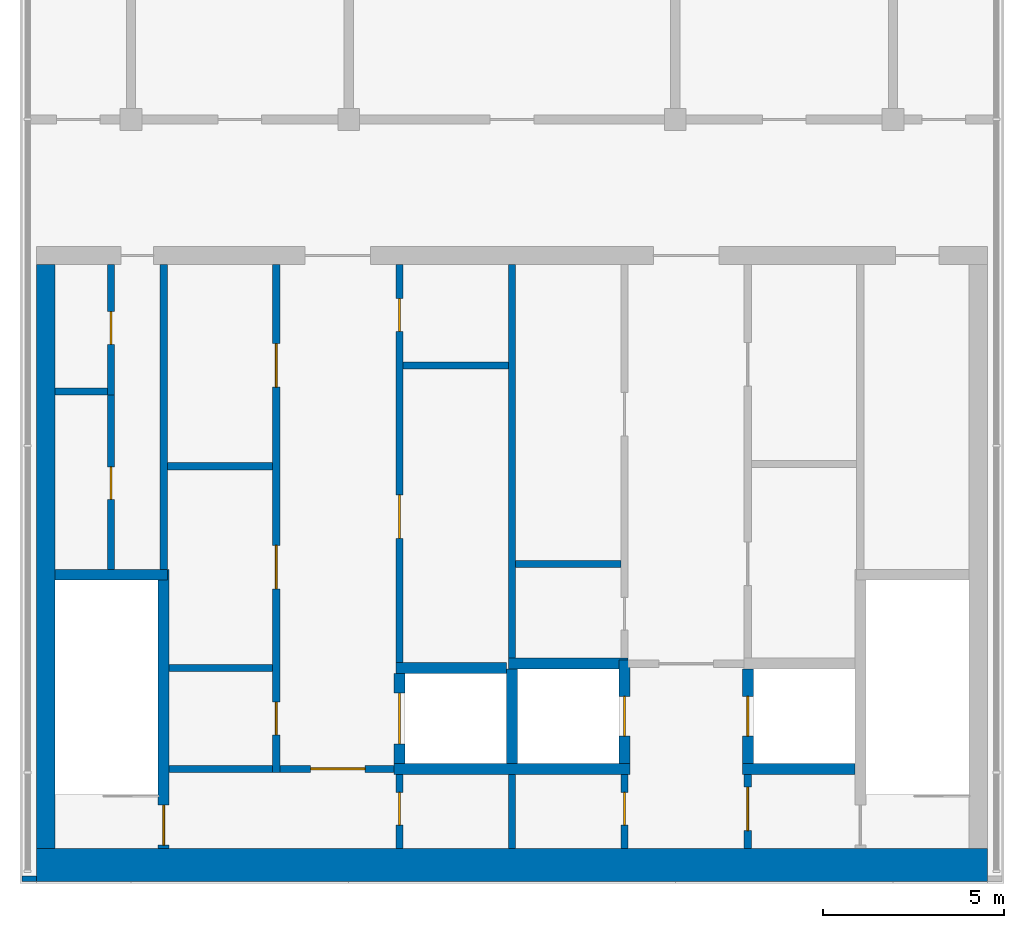
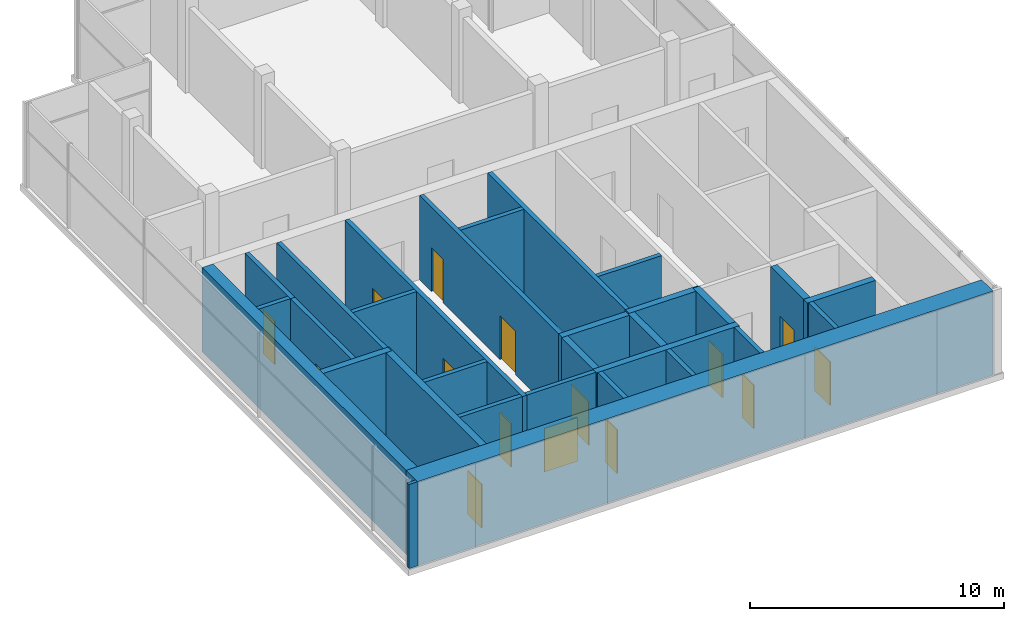
# One storey, part 2 of 4: 30 walls, 15 doors, 15 openings.
"""IFC4 building model written with IfcOpenShell, lengths in metres."""

from ifc_helpers import new_model, si_unit, direction, frame, frame_2d, origin, place, context, subcontext, project, spatial, rectangle, extrude, material, layer, layer_set, type_object, element, fill, save


model = new_model("IFC4")

# Units and contexts
model_context = context("Model", 3, precision=1e-05, world=origin(), true_north=direction((0.0, 1.0)))
body_context = subcontext(model_context, "Body", "Model", "MODEL_VIEW")
ifc_project = project(units=[si_unit("LENGTHUNIT", "METRE"), si_unit("AREAUNIT", "SQUARE_METRE"), si_unit("VOLUMEUNIT", "CUBIC_METRE"), si_unit("PLANEANGLEUNIT", "RADIAN"), si_unit("MASSUNIT", "GRAM", prefix="KILO")], contexts=[model_context])

# Site, building, storey
site_placement = place(None, origin())
site = spatial("IfcSite", under=ifc_project, at=site_placement, CompositionType="ELEMENT")
building_placement = place(site_placement, origin())
building = spatial("IfcBuilding", under=site, at=building_placement, Name="Finial Court Residences", CompositionType="ELEMENT")
storey_placement = place(building_placement, frame((0.0, 0.0, 321.199951171875)))
storey = spatial("IfcBuildingStorey", under=building, at=storey_placement, Name="L81", CompositionType="ELEMENT", Elevation=321.199951171875)

# Walls
ifc_material_1 = material(Name="Concrete C50/60", Category="concrete")
ifc_layer_1 = layer(ifc_material_1, 0.5)
ifc_layer_set_1 = layer_set([ifc_layer_1], Name="Core outer wall 500 Concrete C50/60")
wall_type_1 = type_object("IfcWallType", Name="Core outer wall 500 Concrete C50/60", PredefinedType="SHEAR", material=ifc_layer_set_1)
wall_1_placement = place(storey_placement, frame((-12.85009765625, -24.60009765625, 0.0), z_axis=(0.0, 0.0, 1.0), x_axis=(0.0, 1.0, 0.0)))
element("IfcWall", 1, at=wall_1_placement, inside=storey, type_object=wall_type_1, Name="Core outer wall L81-03", PredefinedType="SHEAR", context=body_context, shape_type="SweptSolid", body=[
    extrude(rectangle(XDim=16.10009765625, YDim=0.5, at=frame_2d((8.050048828125, 0.0))), origin(), (0.0, 0.0, 1.0), 4.050048828125),
])
ifc_layer_2 = layer(ifc_material_1, 0.89990234375)
ifc_layer_set_2 = layer_set([ifc_layer_2], Name="Core south facade wall 900 Concrete C50/60")
wall_type_2 = type_object("IfcWallType", Name="Core south facade wall 900 Concrete C50/60", PredefinedType="SHEAR", material=ifc_layer_set_2)
wall_2_placement = place(storey_placement, frame((-13.10009765625, -25.050048828125, 0.0), z_axis=(0.0, 0.0, 1.0), x_axis=(1.0, 0.0, 0.0)))
element("IfcWall", 2, at=wall_2_placement, inside=storey, type_object=wall_type_2, Name="Core outer wall L81-01", PredefinedType="SHEAR", context=body_context, shape_type="SweptSolid", body=[
    extrude(rectangle(XDim=26.2001953125, YDim=0.89990234375, at=frame_2d((13.10009765625, 0.0))), origin(), (0.0, 0.0, 1.0), 4.050048828125),
])

# Wall, opening, door
ifc_material_2 = material(Name="Fire-rated gypsum board partition")
ifc_layer_3 = layer(ifc_material_2, 0.199951171875)
ifc_layer_set_3 = layer_set([ifc_layer_3], Name="Firefighting lobby wall 200 EI 120")
wall_type_3 = type_object("IfcWallType", Name="Firefighting lobby wall 200 EI 120", PredefinedType="PARTITIONING", material=ifc_layer_set_3)
wall_3_placement = place(storey_placement, frame((3.10009765625, -24.60009765625, 0.0), z_axis=(0.0, 0.0, 1.0), x_axis=(0.0, 1.0, 0.0)))
wall_3 = element("IfcWall", 3, at=wall_3_placement, inside=storey, type_object=wall_type_3, Name="Core partition L81-28", PredefinedType="PARTITIONING", context=body_context, shape_type="SweptSolid", body=[
    extrude(rectangle(XDim=2.050048828125, YDim=0.199951171875, at=frame_2d((1.02490234375, 0.0))), origin(), (0.0, 0.0, 1.0), 4.050048828125),
])
opening_1_placement = place(wall_3_placement, frame((0.64990234375, 0.0, 0.0)))
opening_1 = element("IfcOpeningElement", 4, at=opening_1_placement, cuts=wall_3, Name="Opening L81-C18", PredefinedType="OPENING", context=body_context, shape_type="SweptSolid", body=[
    extrude(rectangle(XDim=0.89990234375, YDim=2.10009765625, at=frame_2d((0.449951171875, 1.050048828125))), frame((0.0, 0.10986328125, 0.0), z_axis=(0.0, -1.0, 0.0), x_axis=(1.0, 0.0, 0.0)), (0.0, 0.0, 1.0), 0.219970703125),
])
ifc_material_3 = material(Name="Steel fire door", Category="steel")
door_type_1 = type_object("IfcDoorType", Name="Riser room door 900 x 2100 EI 90", OperationType="NOTDEFINED", PredefinedType="DOOR", material=ifc_material_3)
door_1_placement = place(opening_1_placement, origin())
door_1 = element("IfcDoor", 5, at=door_1_placement, inside=storey, type_object=door_type_1, Name="Riser room door L81-C18", OperationType="SINGLE_SWING_LEFT", OverallHeight=2.10009765625, OverallWidth=0.89990234375, PredefinedType="DOOR", context=body_context, shape_type="SweptSolid", body=[
    extrude(rectangle(XDim=0.89990234375, YDim=2.10009765625, at=frame_2d((0.449951171875, 1.050048828125))), frame((0.0, 0.02490234375, 0.0), z_axis=(0.0, -1.0, 0.0), x_axis=(1.0, 0.0, 0.0)), (0.0, 0.0, 1.0), 0.050048828125),
])
fill(opening_1, door_1)

wall_4_placement = place(storey_placement, frame((6.5, -22.550048828125, 0.0), z_axis=(0.0, 0.0, 1.0), x_axis=(0.0, -1.0, 0.0)))
wall_4 = element("IfcWall", 6, at=wall_4_placement, inside=storey, type_object=wall_type_3, Name="Core partition L81-31", PredefinedType="PARTITIONING", context=body_context, shape_type="SweptSolid", body=[
    extrude(rectangle(XDim=2.050048828125, YDim=0.199951171875, at=frame_2d((1.02490234375, 0.0))), origin(), (0.0, 0.0, 1.0), 4.050048828125),
])
opening_2_placement = place(wall_4_placement, frame((0.35009765625, 0.0, 0.0)))
opening_2 = element("IfcOpeningElement", 7, at=opening_2_placement, cuts=wall_4, Name="Opening L81-C01", PredefinedType="OPENING", context=body_context, shape_type="SweptSolid", body=[
    extrude(rectangle(XDim=1.199951171875, YDim=2.10009765625, at=frame_2d((0.60009765625, 1.050048828125))), frame((0.0, 0.10986328125, 0.0), z_axis=(0.0, -1.0, 0.0), x_axis=(1.0, 0.0, 0.0)), (0.0, 0.0, 1.0), 0.219970703125),
])
door_type_2 = type_object("IfcDoorType", Name="Firefighting lobby door 1200 x 2100 EI 90", OperationType="NOTDEFINED", PredefinedType="DOOR", material=ifc_material_3)
door_2_placement = place(opening_2_placement, origin())
door_2 = element("IfcDoor", 8, at=door_2_placement, inside=storey, type_object=door_type_2, Name="Firefighting lobby door L81-C01", OperationType="SINGLE_SWING_RIGHT", OverallHeight=2.10009765625, OverallWidth=1.199951171875, PredefinedType="DOOR", context=body_context, shape_type="SweptSolid", body=[
    extrude(rectangle(XDim=1.199951171875, YDim=2.10009765625, at=frame_2d((0.60009765625, 1.050048828125))), frame((0.0, 0.02490234375, 0.0), z_axis=(0.0, -1.0, 0.0), x_axis=(1.0, 0.0, 0.0)), (0.0, 0.0, 1.0), 0.050048828125),
])
fill(opening_2, door_2)

# Walls
ifc_layer_4 = layer(ifc_material_1, 0.300048828125)
ifc_layer_set_4 = layer_set([ifc_layer_4], Name="Lift shaft and stair wall 300 Concrete C50/60")
wall_type_4 = type_object("IfcWallType", Name="Lift shaft and stair wall 300 Concrete C50/60", PredefinedType="SHEAR", material=ifc_layer_set_4)
wall_5_placement = place(storey_placement, frame((-3.25, -22.39990234375, 0.0), z_axis=(0.0, 0.0, 1.0), x_axis=(1.0, 0.0, 0.0)))
element("IfcWall", 9, at=wall_5_placement, inside=storey, type_object=wall_type_4, Name="Core wall L81-03", PredefinedType="SHEAR", context=body_context, shape_type="SweptSolid", body=[
    extrude(rectangle(XDim=6.5, YDim=0.300048828125, at=frame_2d((3.25, 0.0))), origin(), (0.0, 0.0, 1.0), 4.050048828125),
])
wall_6_placement = place(storey_placement, frame((6.35009765625, -22.39990234375, 0.0), z_axis=(0.0, 0.0, 1.0), x_axis=(1.0, 0.0, 0.0)))
element("IfcWall", 10, at=wall_6_placement, inside=storey, type_object=wall_type_4, Name="Core wall L81-04", PredefinedType="SHEAR", context=body_context, shape_type="SweptSolid", body=[
    extrude(rectangle(XDim=3.099853515625, YDim=0.300048828125, at=frame_2d((1.5498046875, 0.0))), origin(), (0.0, 0.0, 1.0), 4.050048828125),
])
wall_7_placement = place(storey_placement, frame((-3.199951171875, -19.6201171875, 0.0), z_axis=(0.0, 0.0, 1.0), x_axis=(1.0, 0.0, 0.0)))
element("IfcWall", 11, at=wall_7_placement, inside=storey, type_object=wall_type_4, Name="Core wall L81-06", PredefinedType="SHEAR", context=body_context, shape_type="SweptSolid", body=[
    extrude(rectangle(XDim=3.050048828125, YDim=0.300048828125, at=frame_2d((1.52490234375, 0.0))), origin(), (0.0, 0.0, 1.0), 4.050048828125),
])
wall_8_placement = place(storey_placement, frame((-0.10009765625, -19.5, 0.0), z_axis=(0.0, 0.0, 1.0), x_axis=(1.0, 0.0, 0.0)))
element("IfcWall", 12, at=wall_8_placement, inside=storey, type_object=wall_type_4, Name="Core wall L81-07", PredefinedType="SHEAR", context=body_context, shape_type="SweptSolid", body=[
    extrude(rectangle(XDim=3.300048828125, YDim=0.300048828125, at=frame_2d((1.64990234375, 0.0))), origin(), (0.0, 0.0, 1.0), 4.050048828125),
])
wall_9_placement = place(storey_placement, frame((-12.60009765625, -17.050048828125, 0.0), z_axis=(0.0, 0.0, 1.0), x_axis=(1.0, 0.0, 0.0)))
element("IfcWall", 13, at=wall_9_placement, inside=storey, type_object=wall_type_4, Name="Core wall L81-10", PredefinedType="SHEAR", context=body_context, shape_type="SweptSolid", body=[
    extrude(rectangle(XDim=3.10009765625, YDim=0.300048828125, at=frame_2d((1.550048828125, 0.0))), origin(), (0.0, 0.0, 1.0), 4.050048828125),
])

# Wall, opening, door
wall_10_placement = place(storey_placement, frame((-9.60009765625, -24.60009765625, 0.0), z_axis=(0.0, 0.0, 1.0), x_axis=(0.0, 1.0, 0.0)))
wall_10 = element("IfcWall", 14, at=wall_10_placement, inside=storey, type_object=wall_type_4, Name="Core wall L81-19", PredefinedType="SHEAR", context=body_context, shape_type="SweptSolid", body=[
    extrude(rectangle(XDim=7.7001953125, YDim=0.300048828125, at=frame_2d((3.85009765625, 0.0))), origin(), (0.0, 0.0, 1.0), 4.050048828125),
])
opening_3_placement = place(wall_10_placement, frame((0.10009765625, 0.0, 0.0)))
opening_3 = element("IfcOpeningElement", 15, at=opening_3_placement, cuts=wall_10, Name="Opening L81-C21", PredefinedType="OPENING", context=body_context, shape_type="SweptSolid", body=[
    extrude(rectangle(XDim=1.10009765625, YDim=2.10009765625, at=frame_2d((0.550048828125, 1.050048828125))), frame((0.0, 0.159912109375, 0.0), z_axis=(0.0, -1.0, 0.0), x_axis=(1.0, 0.0, 0.0)), (0.0, 0.0, 1.0), 0.320068359375),
])
door_type_3 = type_object("IfcDoorType", Name="Stair door 1100 x 2100 EI 90", OperationType="NOTDEFINED", PredefinedType="DOOR", material=ifc_material_3)
door_3_placement = place(opening_3_placement, origin())
door_3 = element("IfcDoor", 16, at=door_3_placement, inside=storey, type_object=door_type_3, Name="Stair door L81-C21", OperationType="SINGLE_SWING_LEFT", OverallHeight=2.10009765625, OverallWidth=1.10009765625, PredefinedType="DOOR", context=body_context, shape_type="SweptSolid", body=[
    extrude(rectangle(XDim=1.10009765625, YDim=2.10009765625, at=frame_2d((0.550048828125, 1.050048828125))), frame((0.0, 0.02490234375, 0.0), z_axis=(0.0, -1.0, 0.0), x_axis=(1.0, 0.0, 0.0)), (0.0, 0.0, 1.0), 0.050048828125),
])
fill(opening_3, door_3)

wall_11_placement = place(storey_placement, frame((-3.10009765625, -22.25, 0.0), z_axis=(0.0, 0.0, 1.0), x_axis=(0.0, 1.0, 0.0)))
wall_11 = element("IfcWall", 17, at=wall_11_placement, inside=storey, type_object=wall_type_4, Name="Core wall L81-23", PredefinedType="SHEAR", context=body_context, shape_type="SweptSolid", body=[
    extrude(rectangle(XDim=2.47998046875, YDim=0.300048828125, at=frame_2d((1.239990234375, 0.0))), origin(), (0.0, 0.0, 1.0), 4.050048828125),
])
opening_4_placement = place(wall_11_placement, frame((0.5400390625, 0.0, 0.0)))
opening_4 = element("IfcOpeningElement", 18, at=opening_4_placement, cuts=wall_11, Name="Opening L81-LD03", PredefinedType="OPENING", context=body_context, shape_type="SweptSolid", body=[
    extrude(rectangle(XDim=1.39990234375, YDim=2.10009765625, at=frame_2d((0.699951171875, 1.050048828125))), frame((0.0, 0.159912109375, 0.0), z_axis=(0.0, -1.0, 0.0), x_axis=(1.0, 0.0, 0.0)), (0.0, 0.0, 1.0), 0.320068359375),
])
ifc_material_4 = material(Name="Stainless steel lift door", Category="steel")
door_type_4 = type_object("IfcDoorType", Name="Lift landing door 1400 x 2100 EI 90", OperationType="DOUBLE_DOOR_SLIDING", PredefinedType="DOOR", material=ifc_material_4)
door_4_placement = place(opening_4_placement, origin())
door_4 = element("IfcDoor", 19, at=door_4_placement, inside=storey, type_object=door_type_4, Name="Lift landing door SV1 L81", OperationType="DOUBLE_DOOR_SLIDING", OverallHeight=2.10009765625, OverallWidth=1.39990234375, PredefinedType="DOOR", context=body_context, shape_type="SweptSolid", body=[
    extrude(rectangle(XDim=1.39990234375, YDim=2.10009765625, at=frame_2d((0.699951171875, 1.050048828125))), frame((0.0, 0.02490234375, 0.0), z_axis=(0.0, -1.0, 0.0), x_axis=(1.0, 0.0, 0.0)), (0.0, 0.0, 1.0), 0.050048828125),
])
fill(opening_4, door_4)

# Wall
wall_12_placement = place(storey_placement, frame((0.0, -22.25, 0.0), z_axis=(0.0, 0.0, 1.0), x_axis=(0.0, 1.0, 0.0)))
element("IfcWall", 20, at=wall_12_placement, inside=storey, type_object=wall_type_4, Name="Core wall L81-26", PredefinedType="SHEAR", context=body_context, shape_type="SweptSolid", body=[
    extrude(rectangle(XDim=2.60009765625, YDim=0.300048828125, at=frame_2d((1.300048828125, 0.0))), origin(), (0.0, 0.0, 1.0), 4.050048828125),
])

# Wall, opening, door
wall_13_placement = place(storey_placement, frame((3.10009765625, -22.25, 0.0), z_axis=(0.0, 0.0, 1.0), x_axis=(0.0, 1.0, 0.0)))
wall_13 = element("IfcWall", 21, at=wall_13_placement, inside=storey, type_object=wall_type_4, Name="Core wall L81-29", PredefinedType="SHEAR", context=body_context, shape_type="SweptSolid", body=[
    extrude(rectangle(XDim=2.85009765625, YDim=0.300048828125, at=frame_2d((1.425048828125, 0.0))), origin(), (0.0, 0.0, 1.0), 4.050048828125),
])
opening_5_placement = place(wall_13_placement, frame((0.75, 0.0, 0.0)))
opening_5 = element("IfcOpeningElement", 22, at=opening_5_placement, cuts=wall_13, Name="Opening L81-LD01", PredefinedType="OPENING", context=body_context, shape_type="SweptSolid", body=[
    extrude(rectangle(XDim=1.10009765625, YDim=2.10009765625, at=frame_2d((0.550048828125, 1.050048828125))), frame((0.0, 0.159912109375, 0.0), z_axis=(0.0, -1.0, 0.0), x_axis=(1.0, 0.0, 0.0)), (0.0, 0.0, 1.0), 0.320068359375),
])
door_type_5 = type_object("IfcDoorType", Name="Lift landing door 1100 x 2100 EI 90", OperationType="DOUBLE_DOOR_SLIDING", PredefinedType="DOOR", material=ifc_material_4)
door_5_placement = place(opening_5_placement, origin())
door_5 = element("IfcDoor", 23, at=door_5_placement, inside=storey, type_object=door_type_5, Name="Lift landing door FF1 L81", OperationType="DOUBLE_DOOR_SLIDING", OverallHeight=2.10009765625, OverallWidth=1.10009765625, PredefinedType="DOOR", context=body_context, shape_type="SweptSolid", body=[
    extrude(rectangle(XDim=1.10009765625, YDim=2.10009765625, at=frame_2d((0.550048828125, 1.050048828125))), frame((0.0, 0.02490234375, 0.0), z_axis=(0.0, -1.0, 0.0), x_axis=(1.0, 0.0, 0.0)), (0.0, 0.0, 1.0), 0.050048828125),
])
fill(opening_5, door_5)

wall_14_placement = place(storey_placement, frame((6.5, -22.25, 0.0), z_axis=(0.0, 0.0, 1.0), x_axis=(0.0, 1.0, 0.0)))
wall_14 = element("IfcWall", 24, at=wall_14_placement, inside=storey, type_object=wall_type_4, Name="Core wall L81-32", PredefinedType="SHEAR", context=body_context, shape_type="SweptSolid", body=[
    extrude(rectangle(XDim=2.60009765625, YDim=0.300048828125, at=frame_2d((1.300048828125, 0.0))), origin(), (0.0, 0.0, 1.0), 4.050048828125),
])
opening_6_placement = place(wall_14_placement, frame((0.75, 0.0, 0.0)))
opening_6 = element("IfcOpeningElement", 25, at=opening_6_placement, cuts=wall_14, Name="Opening L81-LD02", PredefinedType="OPENING", context=body_context, shape_type="SweptSolid", body=[
    extrude(rectangle(XDim=1.10009765625, YDim=2.10009765625, at=frame_2d((0.550048828125, 1.050048828125))), frame((0.0, 0.159912109375, 0.0), z_axis=(0.0, -1.0, 0.0), x_axis=(1.0, 0.0, 0.0)), (0.0, 0.0, 1.0), 0.320068359375),
])
door_6_placement = place(opening_6_placement, origin())
door_6 = element("IfcDoor", 26, at=door_6_placement, inside=storey, type_object=door_type_5, Name="Lift landing door FF2 L81", OperationType="DOUBLE_DOOR_SLIDING", OverallHeight=2.10009765625, OverallWidth=1.10009765625, PredefinedType="DOOR", context=body_context, shape_type="SweptSolid", body=[
    extrude(rectangle(XDim=1.10009765625, YDim=2.10009765625, at=frame_2d((0.550048828125, 1.050048828125))), frame((0.0, 0.02490234375, 0.0), z_axis=(0.0, -1.0, 0.0), x_axis=(1.0, 0.0, 0.0)), (0.0, 0.0, 1.0), 0.050048828125),
])
fill(opening_6, door_6)

# Walls
ifc_material_5 = material(Name="Natural limestone", Category="masonry")
ifc_layer_5 = layer(ifc_material_5, 0.14990234375)
ifc_layer_set_5 = layer_set([ifc_layer_5], Name="Limestone clad wall 150")
wall_type_5 = type_object("IfcWallType", Name="Limestone clad wall 150", PredefinedType="SOLIDWALL", material=ifc_layer_set_5)
wall_15_placement = place(storey_placement, frame((-13.10009765625, -25.425048828125, 0.0), z_axis=(0.0, 0.0, 1.0), x_axis=(-1.0, 0.0, 0.0)))
element("IfcWall", 27, at=wall_15_placement, inside=storey, type_object=wall_type_5, Name="E-L81-STUBS1", PredefinedType="SOLIDWALL", context=body_context, shape_type="SweptSolid", body=[
    extrude(rectangle(XDim=0.39990234375, YDim=0.14990234375, at=frame_2d((0.199951171875, 0.0))), origin(), (0.0, 0.0, 1.0), 4.050048828125),
])
ifc_layer_6 = layer(ifc_material_2, 0.199951171875)
ifc_layer_set_6 = layer_set([ifc_layer_6], Name="Riser room wall 200 EI 120")
wall_type_6 = type_object("IfcWallType", Name="Riser room wall 200 EI 120", PredefinedType="PARTITIONING", material=ifc_layer_set_6)
for number, where, z_axis, x_axis, name in (
    (28, (-9.449951171875, -22.39990234375, 0.0), (0.0, 0.0, 1.0), (1.0, 0.0, 0.0), "Core partition L81-01"),
    (29, (-9.449951171875, -19.6201171875, 0.0), (0.0, 0.0, 1.0), (1.0, 0.0, 0.0), "Core partition L81-05"),
):
    element("IfcWall", number, at=place(storey_placement, frame(where, z_axis=z_axis, x_axis=x_axis)), inside=storey, type_object=wall_type_6, Name=name, PredefinedType="PARTITIONING", context=body_context, shape_type="SweptSolid", body=[
        extrude(rectangle(XDim=2.849853515625, YDim=0.199951171875, at=frame_2d((1.4248046875, 0.0))), origin(), (0.0, 0.0, 1.0), 4.050048828125),
    ])
for number, where, z_axis, x_axis, name in (
    (30, (0.10009765625, -16.75, 0.0), (0.0, 0.0, 1.0), (1.0, 0.0, 0.0), "Core partition L81-12"),
    (31, (-9.5, -14.06005859375, 0.0), (0.0, 0.0, 1.0), (1.0, 0.0, 0.0), "Core partition L81-13"),
):
    element("IfcWall", number, at=place(storey_placement, frame(where, z_axis=z_axis, x_axis=x_axis)), inside=storey, type_object=wall_type_6, Name=name, PredefinedType="PARTITIONING", context=body_context, shape_type="SweptSolid", body=[
        extrude(rectangle(XDim=2.89990234375, YDim=0.199951171875, at=frame_2d((1.449951171875, 0.0))), origin(), (0.0, 0.0, 1.0), 4.050048828125),
    ])
wall_16_placement = place(storey_placement, frame((-12.60009765625, -12.0, 0.0), z_axis=(0.0, 0.0, 1.0), x_axis=(1.0, 0.0, 0.0)))
element("IfcWall", 32, at=wall_16_placement, inside=storey, type_object=wall_type_6, Name="Core partition L81-15", PredefinedType="PARTITIONING", context=body_context, shape_type="SweptSolid", body=[
    extrude(rectangle(XDim=1.4501953125, YDim=0.199951171875, at=frame_2d((0.72509765625, 0.0))), origin(), (0.0, 0.0, 1.0), 4.050048828125),
])
wall_17_placement = place(storey_placement, frame((-3.0, -11.280029296875, 0.0), z_axis=(0.0, 0.0, 1.0), x_axis=(1.0, 0.0, 0.0)))
element("IfcWall", 33, at=wall_17_placement, inside=storey, type_object=wall_type_6, Name="Core partition L81-16", PredefinedType="PARTITIONING", context=body_context, shape_type="SweptSolid", body=[
    extrude(rectangle(XDim=2.89990234375, YDim=0.199951171875, at=frame_2d((1.449951171875, 0.0))), origin(), (0.0, 0.0, 1.0), 4.050048828125),
])

# Wall, opening, door
wall_18_placement = place(storey_placement, frame((-11.050048828125, -12.10009765625, 0.0), z_axis=(0.0, 0.0, 1.0), x_axis=(0.0, 1.0, 0.0)))
wall_18 = element("IfcWall", 34, at=wall_18_placement, inside=storey, type_object=wall_type_6, Name="Core partition L81-18", PredefinedType="PARTITIONING", context=body_context, shape_type="SweptSolid", body=[
    extrude(rectangle(XDim=3.60009765625, YDim=0.199951171875, at=frame_2d((1.800048828125, 0.0))), origin(), (0.0, 0.0, 1.0), 4.050048828125),
])
opening_7_placement = place(wall_18_placement, frame((1.39990234375, 0.0, 0.0)))
opening_7 = element("IfcOpeningElement", 35, at=opening_7_placement, cuts=wall_18, Name="Opening L81-C06", PredefinedType="OPENING", context=body_context, shape_type="SweptSolid", body=[
    extrude(rectangle(XDim=0.89990234375, YDim=2.10009765625, at=frame_2d((0.449951171875, 1.050048828125))), frame((0.0, 0.10986328125, 0.0), z_axis=(0.0, -1.0, 0.0), x_axis=(1.0, 0.0, 0.0)), (0.0, 0.0, 1.0), 0.219970703125),
])
door_7_placement = place(opening_7_placement, origin())
door_7 = element("IfcDoor", 36, at=door_7_placement, inside=storey, type_object=door_type_1, Name="Riser room door L81-C06", OperationType="SINGLE_SWING_LEFT", OverallHeight=2.10009765625, OverallWidth=0.89990234375, PredefinedType="DOOR", context=body_context, shape_type="SweptSolid", body=[
    extrude(rectangle(XDim=0.89990234375, YDim=2.10009765625, at=frame_2d((0.449951171875, 1.050048828125))), frame((0.0, 0.02490234375, 0.0), z_axis=(0.0, -1.0, 0.0), x_axis=(1.0, 0.0, 0.0)), (0.0, 0.0, 1.0), 0.050048828125),
])
fill(opening_7, door_7)

# Wall
wall_19_placement = place(storey_placement, frame((-9.60009765625, -16.89990234375, 0.0), z_axis=(0.0, 0.0, 1.0), x_axis=(0.0, 1.0, 0.0)))
element("IfcWall", 37, at=wall_19_placement, inside=storey, type_object=wall_type_6, Name="Core partition L81-20", PredefinedType="PARTITIONING", context=body_context, shape_type="SweptSolid", body=[
    extrude(rectangle(XDim=8.39990234375, YDim=0.199951171875, at=frame_2d((4.199951171875, 0.0))), origin(), (0.0, 0.0, 1.0), 4.050048828125),
])

# Wall, openings, doors
wall_20_placement = place(storey_placement, frame((-6.5, -22.5, 0.0), z_axis=(0.0, 0.0, 1.0), x_axis=(0.0, 1.0, 0.0)))
wall_20 = element("IfcWall", 38, at=wall_20_placement, inside=storey, type_object=wall_type_6, Name="Core partition L81-21", PredefinedType="PARTITIONING", context=body_context, shape_type="SweptSolid", body=[
    extrude(rectangle(XDim=14.0, YDim=0.199951171875, at=frame_2d((7.0, 0.0))), origin(), (0.0, 0.0, 1.0), 4.050048828125),
])
opening_8_placement = place(wall_20_placement, frame((1.0400390625, 0.0, 0.0)))
opening_8 = element("IfcOpeningElement", 39, at=opening_8_placement, cuts=wall_20, Name="Opening L81-C07", PredefinedType="OPENING", context=body_context, shape_type="SweptSolid", body=[
    extrude(rectangle(XDim=0.89990234375, YDim=2.10009765625, at=frame_2d((0.449951171875, 1.050048828125))), frame((0.0, 0.10986328125, 0.0), z_axis=(0.0, -1.0, 0.0), x_axis=(1.0, 0.0, 0.0)), (0.0, 0.0, 1.0), 0.219970703125),
])
opening_9_placement = place(wall_20_placement, frame((5.06005859375, 0.0, 0.0)))
opening_9 = element("IfcOpeningElement", 40, at=opening_9_placement, cuts=wall_20, Name="Opening L81-C08", PredefinedType="OPENING", context=body_context, shape_type="SweptSolid", body=[
    extrude(rectangle(XDim=1.199951171875, YDim=2.10009765625, at=frame_2d((0.60009765625, 1.050048828125))), frame((0.0, 0.10986328125, 0.0), z_axis=(0.0, -1.0, 0.0), x_axis=(1.0, 0.0, 0.0)), (0.0, 0.0, 1.0), 0.219970703125),
])
opening_10_placement = place(wall_20_placement, frame((10.6201171875, 0.0, 0.0)))
opening_10 = element("IfcOpeningElement", 41, at=opening_10_placement, cuts=wall_20, Name="Opening L81-C09", PredefinedType="OPENING", context=body_context, shape_type="SweptSolid", body=[
    extrude(rectangle(XDim=1.199951171875, YDim=2.10009765625, at=frame_2d((0.60009765625, 1.050048828125))), frame((0.0, 0.10986328125, 0.0), z_axis=(0.0, -1.0, 0.0), x_axis=(1.0, 0.0, 0.0)), (0.0, 0.0, 1.0), 0.219970703125),
])
door_type_6 = type_object("IfcDoorType", Name="Riser room door 1200 x 2100 EI 90", OperationType="NOTDEFINED", PredefinedType="DOOR", material=ifc_material_3)
door_8_placement = place(opening_9_placement, origin())
door_8 = element("IfcDoor", 42, at=door_8_placement, inside=storey, type_object=door_type_6, Name="Riser room door L81-C08", OperationType="SINGLE_SWING_RIGHT", OverallHeight=2.10009765625, OverallWidth=1.199951171875, PredefinedType="DOOR", context=body_context, shape_type="SweptSolid", body=[
    extrude(rectangle(XDim=1.199951171875, YDim=2.10009765625, at=frame_2d((0.60009765625, 1.050048828125))), frame((0.0, 0.02490234375, 0.0), z_axis=(0.0, -1.0, 0.0), x_axis=(1.0, 0.0, 0.0)), (0.0, 0.0, 1.0), 0.050048828125),
])
fill(opening_9, door_8)
door_9_placement = place(opening_10_placement, origin())
door_9 = element("IfcDoor", 43, at=door_9_placement, inside=storey, type_object=door_type_6, Name="Riser room door L81-C09", OperationType="SINGLE_SWING_RIGHT", OverallHeight=2.10009765625, OverallWidth=1.199951171875, PredefinedType="DOOR", context=body_context, shape_type="SweptSolid", body=[
    extrude(rectangle(XDim=1.199951171875, YDim=2.10009765625, at=frame_2d((0.60009765625, 1.050048828125))), frame((0.0, 0.02490234375, 0.0), z_axis=(0.0, -1.0, 0.0), x_axis=(1.0, 0.0, 0.0)), (0.0, 0.0, 1.0), 0.050048828125),
])
fill(opening_10, door_9)
door_10_placement = place(opening_8_placement, origin())
door_10 = element("IfcDoor", 44, at=door_10_placement, inside=storey, type_object=door_type_1, Name="Riser room door L81-C07", OperationType="SINGLE_SWING_LEFT", OverallHeight=2.10009765625, OverallWidth=0.89990234375, PredefinedType="DOOR", context=body_context, shape_type="SweptSolid", body=[
    extrude(rectangle(XDim=0.89990234375, YDim=2.10009765625, at=frame_2d((0.449951171875, 1.050048828125))), frame((0.0, 0.02490234375, 0.0), z_axis=(0.0, -1.0, 0.0), x_axis=(1.0, 0.0, 0.0)), (0.0, 0.0, 1.0), 0.050048828125),
])
fill(opening_8, door_10)

wall_21_placement = place(storey_placement, frame((-3.10009765625, -8.5, 0.0), z_axis=(0.0, 0.0, 1.0), x_axis=(0.0, -1.0, 0.0)))
wall_21 = element("IfcWall", 45, at=wall_21_placement, inside=storey, type_object=wall_type_6, Name="Core partition L81-24", PredefinedType="PARTITIONING", context=body_context, shape_type="SweptSolid", body=[
    extrude(rectangle(XDim=10.969970703125, YDim=0.199951171875, at=frame_2d((5.48486328125, 0.0))), origin(), (0.0, 0.0, 1.0), 4.050048828125),
])
opening_11_placement = place(wall_21_placement, frame((6.35009765625, 0.0, 0.0)))
opening_11 = element("IfcOpeningElement", 46, at=opening_11_placement, cuts=wall_21, Name="Opening L81-C10", PredefinedType="OPENING", context=body_context, shape_type="SweptSolid", body=[
    extrude(rectangle(XDim=1.199951171875, YDim=2.10009765625, at=frame_2d((0.60009765625, 1.050048828125))), frame((0.0, 0.10986328125, 0.0), z_axis=(0.0, -1.0, 0.0), x_axis=(1.0, 0.0, 0.0)), (0.0, 0.0, 1.0), 0.219970703125),
])
opening_12_placement = place(wall_21_placement, frame((0.93994140625, 0.0, 0.0)))
opening_12 = element("IfcOpeningElement", 47, at=opening_12_placement, cuts=wall_21, Name="Opening L81-C11", PredefinedType="OPENING", context=body_context, shape_type="SweptSolid", body=[
    extrude(rectangle(XDim=0.89990234375, YDim=2.10009765625, at=frame_2d((0.449951171875, 1.050048828125))), frame((0.0, 0.10986328125, 0.0), z_axis=(0.0, -1.0, 0.0), x_axis=(1.0, 0.0, 0.0)), (0.0, 0.0, 1.0), 0.219970703125),
])
door_11_placement = place(opening_11_placement, origin())
door_11 = element("IfcDoor", 48, at=door_11_placement, inside=storey, type_object=door_type_6, Name="Riser room door L81-C10", OperationType="SINGLE_SWING_RIGHT", OverallHeight=2.10009765625, OverallWidth=1.199951171875, PredefinedType="DOOR", context=body_context, shape_type="SweptSolid", body=[
    extrude(rectangle(XDim=1.199951171875, YDim=2.10009765625, at=frame_2d((0.60009765625, 1.050048828125))), frame((0.0, 0.02490234375, 0.0), z_axis=(0.0, -1.0, 0.0), x_axis=(1.0, 0.0, 0.0)), (0.0, 0.0, 1.0), 0.050048828125),
])
fill(opening_11, door_11)
door_12_placement = place(opening_12_placement, origin())
door_12 = element("IfcDoor", 49, at=door_12_placement, inside=storey, type_object=door_type_1, Name="Riser room door L81-C11", OperationType="SINGLE_SWING_RIGHT", OverallHeight=2.10009765625, OverallWidth=0.89990234375, PredefinedType="DOOR", context=body_context, shape_type="SweptSolid", body=[
    extrude(rectangle(XDim=0.89990234375, YDim=2.10009765625, at=frame_2d((0.449951171875, 1.050048828125))), frame((0.0, 0.02490234375, 0.0), z_axis=(0.0, -1.0, 0.0), x_axis=(1.0, 0.0, 0.0)), (0.0, 0.0, 1.0), 0.050048828125),
])
fill(opening_12, door_12)

# Walls
wall_22_placement = place(storey_placement, frame((0.0, -24.60009765625, 0.0), z_axis=(0.0, 0.0, 1.0), x_axis=(0.0, 1.0, 0.0)))
element("IfcWall", 50, at=wall_22_placement, inside=storey, type_object=wall_type_6, Name="Core partition L81-25", PredefinedType="PARTITIONING", context=body_context, shape_type="SweptSolid", body=[
    extrude(rectangle(XDim=2.050048828125, YDim=0.199951171875, at=frame_2d((1.02490234375, 0.0))), origin(), (0.0, 0.0, 1.0), 4.050048828125),
])
wall_23_placement = place(storey_placement, frame((0.0, -19.35009765625, 0.0), z_axis=(0.0, 0.0, 1.0), x_axis=(0.0, 1.0, 0.0)))
element("IfcWall", 51, at=wall_23_placement, inside=storey, type_object=wall_type_6, Name="Core partition L81-27", PredefinedType="PARTITIONING", context=body_context, shape_type="SweptSolid", body=[
    extrude(rectangle(XDim=10.85009765625, YDim=0.199951171875, at=frame_2d((5.425048828125, 0.0))), origin(), (0.0, 0.0, 1.0), 4.050048828125),
])

# Wall, opening, door
ifc_layer_7 = layer(ifc_material_2, 0.199951171875)
ifc_layer_set_7 = layer_set([ifc_layer_7], Name="Stair passage wall 200 EI 180")
wall_type_7 = type_object("IfcWallType", Name="Stair passage wall 200 EI 180", PredefinedType="PARTITIONING", material=ifc_layer_set_7)
wall_24_placement = place(storey_placement, frame((-3.25, -22.39990234375, 0.0), z_axis=(0.0, 0.0, 1.0), x_axis=(-1.0, 0.0, 0.0)))
wall_24 = element("IfcWall", 52, at=wall_24_placement, inside=storey, type_object=wall_type_7, Name="Core partition L81-02", PredefinedType="PARTITIONING", context=body_context, shape_type="SweptSolid", body=[
    extrude(rectangle(XDim=3.14990234375, YDim=0.199951171875, at=frame_2d((1.574951171875, 0.0))), origin(), (0.0, 0.0, 1.0), 4.050048828125),
])
opening_13_placement = place(wall_24_placement, frame((0.800048828125, 0.0, 0.0)))
opening_13 = element("IfcOpeningElement", 53, at=opening_13_placement, cuts=wall_24, Name="Opening L81-C05", PredefinedType="OPENING", context=body_context, shape_type="SweptSolid", body=[
    extrude(rectangle(XDim=1.5, YDim=2.10009765625, at=frame_2d((0.75, 1.050048828125))), frame((0.0, 0.10986328125, 0.0), z_axis=(0.0, -1.0, 0.0), x_axis=(1.0, 0.0, 0.0)), (0.0, 0.0, 1.0), 0.219970703125),
])
door_type_7 = type_object("IfcDoorType", Name="Lift lobby door 1500 x 2100 EI 60", OperationType="DOUBLE_DOOR_SINGLE_SWING", PredefinedType="DOOR", material=ifc_material_3)
door_13_placement = place(opening_13_placement, origin())
door_13 = element("IfcDoor", 54, at=door_13_placement, inside=storey, type_object=door_type_7, Name="Lift lobby door L81-C05", OperationType="DOUBLE_DOOR_SINGLE_SWING", OverallHeight=2.10009765625, OverallWidth=1.5, PredefinedType="DOOR", context=body_context, shape_type="SweptSolid", body=[
    extrude(rectangle(XDim=1.5, YDim=2.10009765625, at=frame_2d((0.75, 1.050048828125))), frame((0.0, 0.02490234375, 0.0), z_axis=(0.0, -1.0, 0.0), x_axis=(1.0, 0.0, 0.0)), (0.0, 0.0, 1.0), 0.050048828125),
])
fill(opening_13, door_13)

wall_25_placement = place(storey_placement, frame((-11.050048828125, -16.89990234375, 0.0), z_axis=(0.0, 0.0, 1.0), x_axis=(0.0, 1.0, 0.0)))
wall_25 = element("IfcWall", 55, at=wall_25_placement, inside=storey, type_object=wall_type_7, Name="Core partition L81-17", PredefinedType="PARTITIONING", context=body_context, shape_type="SweptSolid", body=[
    extrude(rectangle(XDim=5.0, YDim=0.199951171875, at=frame_2d((2.5, 0.0))), origin(), (0.0, 0.0, 1.0), 4.050048828125),
])
opening_14_placement = place(wall_25_placement, frame((1.925048828125, 0.0, 0.0)))
opening_14 = element("IfcOpeningElement", 56, at=opening_14_placement, cuts=wall_25, Name="Opening L81-C20", PredefinedType="OPENING", context=body_context, shape_type="SweptSolid", body=[
    extrude(rectangle(XDim=0.89990234375, YDim=2.10009765625, at=frame_2d((0.449951171875, 1.050048828125))), frame((0.0, 0.10986328125, 0.0), z_axis=(0.0, -1.0, 0.0), x_axis=(1.0, 0.0, 0.0)), (0.0, 0.0, 1.0), 0.219970703125),
])
door_type_8 = type_object("IfcDoorType", Name="Core room door 900 x 2100 EI 60", OperationType="NOTDEFINED", PredefinedType="DOOR", material=ifc_material_3)
door_14_placement = place(opening_14_placement, origin())
door_14 = element("IfcDoor", 57, at=door_14_placement, inside=storey, type_object=door_type_8, Name="Core room door L81-C20", OperationType="SINGLE_SWING_LEFT", OverallHeight=2.10009765625, OverallWidth=0.89990234375, PredefinedType="DOOR", context=body_context, shape_type="SweptSolid", body=[
    extrude(rectangle(XDim=0.89990234375, YDim=2.10009765625, at=frame_2d((0.449951171875, 1.050048828125))), frame((0.0, 0.02490234375, 0.0), z_axis=(0.0, -1.0, 0.0), x_axis=(1.0, 0.0, 0.0)), (0.0, 0.0, 1.0), 0.050048828125),
])
fill(opening_14, door_14)

wall_26_placement = place(storey_placement, frame((-3.10009765625, -22.550048828125, 0.0), z_axis=(0.0, 0.0, 1.0), x_axis=(0.0, -1.0, 0.0)))
wall_26 = element("IfcWall", 58, at=wall_26_placement, inside=storey, type_object=wall_type_7, Name="Core partition L81-22", PredefinedType="PARTITIONING", context=body_context, shape_type="SweptSolid", body=[
    extrude(rectangle(XDim=2.050048828125, YDim=0.199951171875, at=frame_2d((1.02490234375, 0.0))), origin(), (0.0, 0.0, 1.0), 4.050048828125),
])
opening_15_placement = place(wall_26_placement, frame((0.5, 0.0, 0.0)))
opening_15 = element("IfcOpeningElement", 59, at=opening_15_placement, cuts=wall_26, Name="Opening L81-C19", PredefinedType="OPENING", context=body_context, shape_type="SweptSolid", body=[
    extrude(rectangle(XDim=0.89990234375, YDim=2.10009765625, at=frame_2d((0.449951171875, 1.050048828125))), frame((0.0, 0.10986328125, 0.0), z_axis=(0.0, -1.0, 0.0), x_axis=(1.0, 0.0, 0.0)), (0.0, 0.0, 1.0), 0.219970703125),
])
door_15_placement = place(opening_15_placement, origin())
door_15 = element("IfcDoor", 60, at=door_15_placement, inside=storey, type_object=door_type_8, Name="Core room door L81-C19", OperationType="SINGLE_SWING_RIGHT", OverallHeight=2.10009765625, OverallWidth=0.89990234375, PredefinedType="DOOR", context=body_context, shape_type="SweptSolid", body=[
    extrude(rectangle(XDim=0.89990234375, YDim=2.10009765625, at=frame_2d((0.449951171875, 1.050048828125))), frame((0.0, 0.02490234375, 0.0), z_axis=(0.0, -1.0, 0.0), x_axis=(1.0, 0.0, 0.0)), (0.0, 0.0, 1.0), 0.050048828125),
])
fill(opening_15, door_15)

save(model, "model.ifc")
